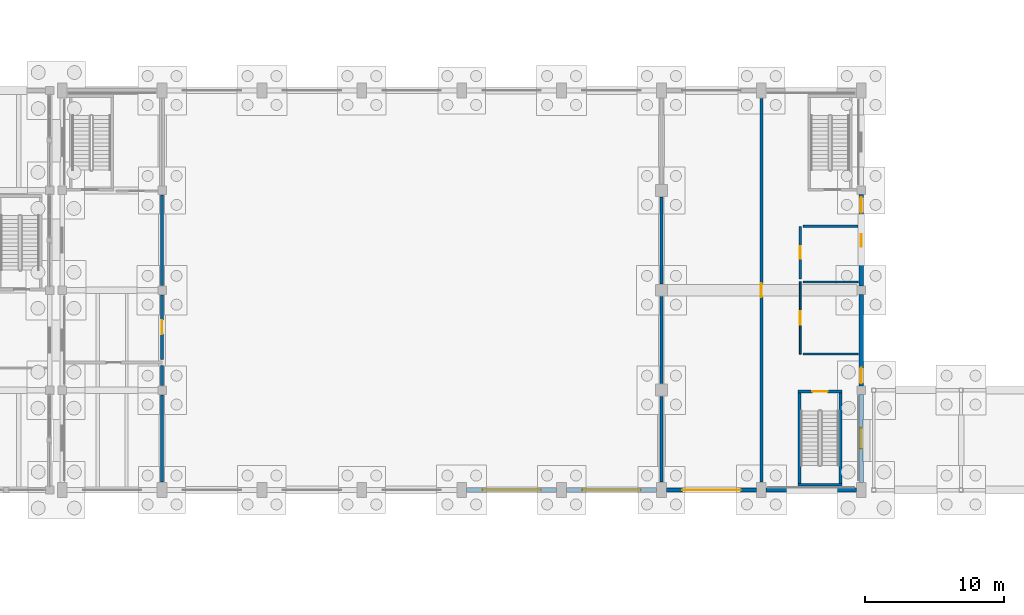
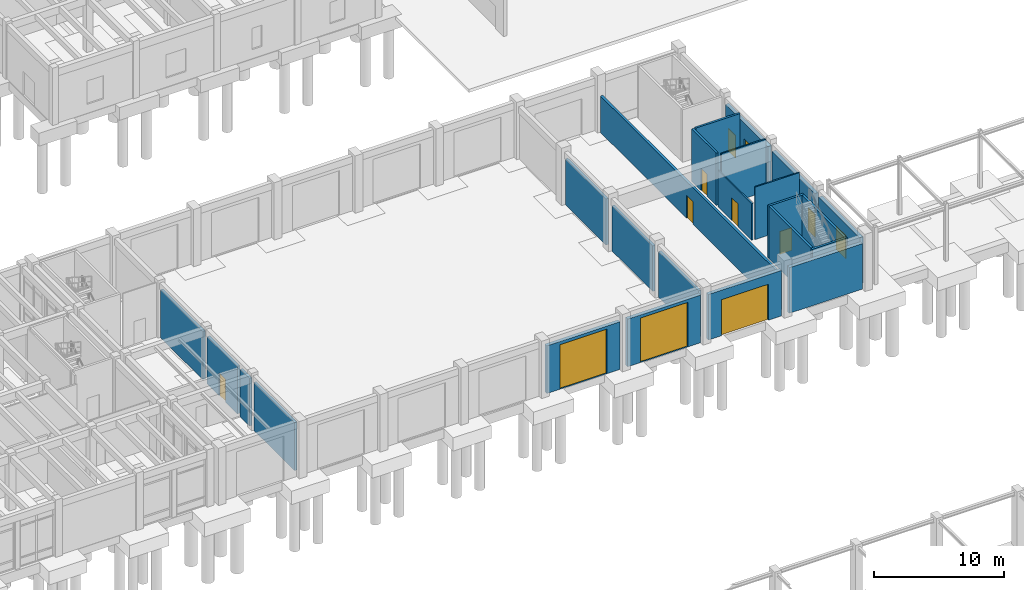
# One storey, part 65 of 93: 24 walls, 10 doors, 2 windows, 12 openings.
"""IFC4 building model written with IfcOpenShell, lengths in metres."""

from ifc_helpers import new_model, si_unit, direction, frame, frame_2d, origin, place, context, subcontext, project, spatial, rectangle, extrude, material, layer, layer_set, type_object, element, fill, save


model = new_model("IFC4")

# Units and contexts
model_context = context("Model", 3, precision=1e-05, world=origin(), true_north=direction((0.0, 1.0)))
body_context = subcontext(model_context, "Body", "Model", "MODEL_VIEW")
ifc_project = project(units=[si_unit("LENGTHUNIT", "METRE"), si_unit("AREAUNIT", "SQUARE_METRE"), si_unit("VOLUMEUNIT", "CUBIC_METRE"), si_unit("PLANEANGLEUNIT", "RADIAN"), si_unit("MASSUNIT", "GRAM", prefix="KILO")], contexts=[model_context])

# Site, building, storey
site_placement = place(None, origin())
site = spatial("IfcSite", under=ifc_project, at=site_placement, CompositionType="ELEMENT")
building_placement = place(site_placement, origin())
building = spatial("IfcBuilding", under=site, at=building_placement, Name="Koriwan Promenade Central Fire Station", CompositionType="ELEMENT")
storey_placement = place(building_placement, origin())
storey = spatial("IfcBuildingStorey", under=building, at=storey_placement, Name="L00", CompositionType="ELEMENT", Elevation=0.0)

# Wall, opening, window
ifc_material_1 = material(Name="Precast concrete C40/50", Category="concrete")
ifc_layer_1 = layer(ifc_material_1, 0.320068359375, Name="Precast concrete C40/50")
ifc_layer_set_1 = layer_set([ifc_layer_1], Name="Precast concrete C40/50")
wall_type_1 = type_object("IfcWallType", Name="ExtWall_Terracotta_320", PredefinedType="ELEMENTEDWALL", material=ifc_layer_set_1)
wall_1_placement = place(storey_placement, frame((115.199951171875, 43.75, 0.0), z_axis=(0.0, 0.0, 1.0), x_axis=(0.0, 1.0, 0.0)))
wall_1 = element("IfcWall", 1, at=wall_1_placement, inside=storey, type_object=wall_type_1, Name="V1 L00 exterior wall 1", PredefinedType="ELEMENTEDWALL", context=body_context, shape_type="SweptSolid", body=[
    extrude(rectangle(XDim=6.35009765625, YDim=0.320068359375, at=frame_2d((3.175048828125, 0.0))), origin(), (0.0, 0.0, 1.0), 4.340087890625),
])
opening_1_placement = place(wall_1_placement, frame((2.425048828125, 0.0, 0.85009765625)))
opening_1 = element("IfcOpeningElement", 2, at=opening_1_placement, cuts=wall_1, Name="Opening W-02", PredefinedType="OPENING", context=body_context, shape_type="SweptSolid", body=[
    extrude(rectangle(XDim=1.5, YDim=2.199951171875, at=frame_2d((0.75, 1.10009765625))), frame((0.0, 0.171875, 0.0), z_axis=(0.0, -1.0, 0.0), x_axis=(1.0, 0.0, 0.0)), (0.0, 0.0, 1.0), 0.343994140625),
])
ifc_material_2 = material(Name="Solar-control low-E laminated double glazing", Category="glass")
window_type_1 = type_object("IfcWindowType", Name="Win_Jharokha_1500x2200", PartitioningType="SINGLE_PANEL", PredefinedType="WINDOW", material=ifc_material_2)
window_1_placement = place(opening_1_placement, origin())
window_1 = element("IfcWindow", 3, at=window_1_placement, inside=storey, type_object=window_type_1, Name="V1 L00 window 0001", OverallHeight=2.199951171875, OverallWidth=1.5, PartitioningType="SINGLE_PANEL", PredefinedType="WINDOW", context=body_context, shape_type="SweptSolid", body=[
    extrude(rectangle(XDim=1.5, YDim=2.199951171875, at=frame_2d((0.75, 1.10009765625))), frame((0.0, 0.030029296875, 0.0), z_axis=(0.0, -1.0, 0.0), x_axis=(1.0, 0.0, 0.0)), (0.0, 0.0, 1.0), 0.06005859375),
])
fill(opening_1, window_1)

# Wall, opening, door
wall_2_placement = place(storey_placement, frame((115.199951171875, 50.699951171875, 0.0), z_axis=(0.0, 0.0, 1.0), x_axis=(0.0, 1.0, 0.0)))
wall_2 = element("IfcWall", 4, at=wall_2_placement, inside=storey, type_object=wall_type_1, Name="V1 L00 exterior wall 2", PredefinedType="ELEMENTEDWALL", context=body_context, shape_type="SweptSolid", body=[
    extrude(rectangle(XDim=6.60009765625, YDim=0.320068359375, at=frame_2d((3.300048828125, 0.0))), origin(), (0.0, 0.0, 1.0), 4.2900390625),
])
opening_2_placement = place(wall_2_placement, frame((0.199951171875, 0.0, 0.0)))
opening_2 = element("IfcOpeningElement", 5, at=opening_2_placement, cuts=wall_2, Name="Opening ED-036", PredefinedType="OPENING", context=body_context, shape_type="SweptSolid", body=[
    extrude(rectangle(XDim=1.10009765625, YDim=2.14990234375, at=frame_2d((0.550048828125, 1.074951171875))), frame((0.0, 0.171875, 0.0), z_axis=(0.0, -1.0, 0.0), x_axis=(1.0, 0.0, 0.0)), (0.0, 0.0, 1.0), 0.343994140625),
])
ifc_material_3 = material(Name="Aluminium EN AW-6063-T6 and laminated safety glass", Category="aluminium")
door_type_1 = type_object("IfcDoorType", Name="ExitDoorSingle_1100x2150", OperationType="NOTDEFINED", PredefinedType="DOOR", material=ifc_material_3)
door_1_placement = place(opening_2_placement, frame((1.10009765625, 0.0, 0.0), z_axis=(0.0, 0.0, 1.0), x_axis=(-1.0, 0.0, 0.0)))
door_1 = element("IfcDoor", 6, at=door_1_placement, inside=storey, type_object=door_type_1, Name="V1 Final Pedestrian Exit Door ED-036", OperationType="SINGLE_SWING_LEFT", OverallHeight=2.14990234375, OverallWidth=1.10009765625, PredefinedType="DOOR", context=body_context, shape_type="SweptSolid", body=[
    extrude(rectangle(XDim=1.10009765625, YDim=2.14990234375, at=frame_2d((0.550048828125, 1.074951171875))), frame((0.0, 0.02490234375, 0.0), z_axis=(0.0, -1.0, 0.0), x_axis=(1.0, 0.0, 0.0)), (0.0, 0.0, 1.0), 0.050048828125),
])
fill(opening_2, door_1)

# Wall, openings, door, window
wall_3_placement = place(storey_placement, frame((115.199951171875, 57.89990234375, 0.0), z_axis=(0.0, 0.0, 1.0), x_axis=(0.0, 1.0, 0.0)))
wall_3 = element("IfcWall", 7, at=wall_3_placement, inside=storey, type_object=wall_type_1, Name="V1 L00 exterior wall 3", PredefinedType="ELEMENTEDWALL", context=body_context, shape_type="SweptSolid", body=[
    extrude(rectangle(XDim=6.60009765625, YDim=0.320068359375, at=frame_2d((3.300048828125, 0.0))), origin(), (0.0, 0.0, 1.0), 4.340087890625),
])
opening_3_placement = place(wall_3_placement, frame((2.85009765625, 0.0, 0.85009765625)))
opening_3 = element("IfcOpeningElement", 8, at=opening_3_placement, cuts=wall_3, Name="Opening W-04", PredefinedType="OPENING", context=body_context, shape_type="SweptSolid", body=[
    extrude(rectangle(XDim=0.89990234375, YDim=2.0, at=frame_2d((0.449951171875, 1.0))), frame((0.0, 0.171875, 0.0), z_axis=(0.0, -1.0, 0.0), x_axis=(1.0, 0.0, 0.0)), (0.0, 0.0, 1.0), 0.343994140625),
])
opening_4_placement = place(wall_3_placement, frame((5.300048828125, 0.0, 0.0)))
opening_4 = element("IfcOpeningElement", 9, at=opening_4_placement, cuts=wall_3, Name="Opening ED-037", PredefinedType="OPENING", context=body_context, shape_type="SweptSolid", body=[
    extrude(rectangle(XDim=1.10009765625, YDim=2.14990234375, at=frame_2d((0.550048828125, 1.074951171875))), frame((0.0, 0.171875, 0.0), z_axis=(0.0, -1.0, 0.0), x_axis=(1.0, 0.0, 0.0)), (0.0, 0.0, 1.0), 0.343994140625),
])
door_2_placement = place(opening_4_placement, frame((1.10009765625, 0.0, 0.0), z_axis=(0.0, 0.0, 1.0), x_axis=(-1.0, 0.0, 0.0)))
door_2 = element("IfcDoor", 10, at=door_2_placement, inside=storey, type_object=door_type_1, Name="V1 Final Pedestrian Exit Door ED-037", OperationType="SINGLE_SWING_RIGHT", OverallHeight=2.14990234375, OverallWidth=1.10009765625, PredefinedType="DOOR", context=body_context, shape_type="SweptSolid", body=[
    extrude(rectangle(XDim=1.10009765625, YDim=2.14990234375, at=frame_2d((0.550048828125, 1.074951171875))), frame((0.0, 0.02490234375, 0.0), z_axis=(0.0, -1.0, 0.0), x_axis=(1.0, 0.0, 0.0)), (0.0, 0.0, 1.0), 0.050048828125),
])
fill(opening_4, door_2)
window_type_2 = type_object("IfcWindowType", Name="Win_HQ_900x2000", PartitioningType="SINGLE_PANEL", PredefinedType="WINDOW", material=ifc_material_2)
window_2_placement = place(opening_3_placement, origin())
window_2 = element("IfcWindow", 11, at=window_2_placement, inside=storey, type_object=window_type_2, Name="V1 L00 window 0002", OverallHeight=2.0, OverallWidth=0.89990234375, PartitioningType="SINGLE_PANEL", PredefinedType="WINDOW", context=body_context, shape_type="SweptSolid", body=[
    extrude(rectangle(XDim=0.89990234375, YDim=2.0, at=frame_2d((0.449951171875, 1.0))), frame((0.0, 0.030029296875, 0.0), z_axis=(0.0, -1.0, 0.0), x_axis=(1.0, 0.0, 0.0)), (0.0, 0.0, 1.0), 0.06005859375),
])
fill(opening_3, window_2)

# Wall, opening, door
wall_4_placement = place(storey_placement, frame((86.75, 43.199951171875, 0.0), z_axis=(0.0, 0.0, 1.0), x_axis=(1.0, 0.0, 0.0)))
wall_4 = element("IfcWall", 12, at=wall_4_placement, inside=storey, type_object=wall_type_1, Name="V1 apparatus bay wall 21", PredefinedType="ELEMENTEDWALL", context=body_context, shape_type="SweptSolid", body=[
    extrude(rectangle(XDim=6.5, YDim=0.320068359375, at=frame_2d((3.25, 0.0))), origin(), (0.0, 0.0, 1.0), 4.489990234375),
])
opening_5_placement = place(wall_4_placement, frame((1.14990234375, 0.0, 0.0)))
opening_5 = element("IfcOpeningElement", 13, at=opening_5_placement, cuts=wall_4, Name="Opening APD-012", PredefinedType="OPENING", context=body_context, shape_type="SweptSolid", body=[
    extrude(rectangle(XDim=4.199951171875, YDim=4.199951171875, at=frame_2d((2.10009765625, 2.10009765625))), frame((0.0, 0.171875, 0.0), z_axis=(0.0, -1.0, 0.0), x_axis=(1.0, 0.0, 0.0)), (0.0, 0.0, 1.0), 0.343994140625),
])
door_type_2 = type_object("IfcDoorType", Name="ApparatusDoor_4200x4200", OperationType="DOUBLE_SWING_LEFT", PredefinedType="DOOR", material=ifc_material_3)
door_3_placement = place(opening_5_placement, frame((4.199951171875, 0.0, 0.0), z_axis=(0.0, 0.0, 1.0), x_axis=(-1.0, 0.0, 0.0)))
door_3 = element("IfcDoor", 14, at=door_3_placement, inside=storey, type_object=door_type_2, Name="Appliance Bay Double-Swing Vehicle Door APD-012", OperationType="DOUBLE_SWING_LEFT", OverallHeight=4.199951171875, OverallWidth=4.199951171875, PredefinedType="DOOR", context=body_context, shape_type="SweptSolid", body=[
    extrude(rectangle(XDim=4.199951171875, YDim=4.199951171875, at=frame_2d((2.10009765625, 2.10009765625))), frame((0.0, 0.02490234375, 0.0), z_axis=(0.0, -1.0, 0.0), x_axis=(1.0, 0.0, 0.0)), (0.0, 0.0, 1.0), 0.050048828125),
])
fill(opening_5, door_3)

wall_5_placement = place(storey_placement, frame((93.949951171875, 43.199951171875, 0.0), z_axis=(0.0, 0.0, 1.0), x_axis=(1.0, 0.0, 0.0)))
wall_5 = element("IfcWall", 15, at=wall_5_placement, inside=storey, type_object=wall_type_1, Name="V1 apparatus bay wall 22", PredefinedType="ELEMENTEDWALL", context=body_context, shape_type="SweptSolid", body=[
    extrude(rectangle(XDim=6.5, YDim=0.320068359375, at=frame_2d((3.25, 0.0))), origin(), (0.0, 0.0, 1.0), 4.489990234375),
])
opening_6_placement = place(wall_5_placement, frame((1.14990234375, 0.0, 0.0)))
opening_6 = element("IfcOpeningElement", 16, at=opening_6_placement, cuts=wall_5, Name="Opening APD-013", PredefinedType="OPENING", context=body_context, shape_type="SweptSolid", body=[
    extrude(rectangle(XDim=4.199951171875, YDim=4.199951171875, at=frame_2d((2.10009765625, 2.10009765625))), frame((0.0, 0.171875, 0.0), z_axis=(0.0, -1.0, 0.0), x_axis=(1.0, 0.0, 0.0)), (0.0, 0.0, 1.0), 0.343994140625),
])
door_4_placement = place(opening_6_placement, frame((4.199951171875, 0.0, 0.0), z_axis=(0.0, 0.0, 1.0), x_axis=(-1.0, 0.0, 0.0)))
door_4 = element("IfcDoor", 17, at=door_4_placement, inside=storey, type_object=door_type_2, Name="Appliance Bay Double-Swing Vehicle Door APD-013", OperationType="DOUBLE_SWING_LEFT", OverallHeight=4.199951171875, OverallWidth=4.199951171875, PredefinedType="DOOR", context=body_context, shape_type="SweptSolid", body=[
    extrude(rectangle(XDim=4.199951171875, YDim=4.199951171875, at=frame_2d((2.10009765625, 2.10009765625))), frame((0.0, 0.02490234375, 0.0), z_axis=(0.0, -1.0, 0.0), x_axis=(1.0, 0.0, 0.0)), (0.0, 0.0, 1.0), 0.050048828125),
])
fill(opening_6, door_4)

wall_6_placement = place(storey_placement, frame((101.14990234375, 43.199951171875, 0.0), z_axis=(0.0, 0.0, 1.0), x_axis=(1.0, 0.0, 0.0)))
wall_6 = element("IfcWall", 18, at=wall_6_placement, inside=storey, type_object=wall_type_1, Name="V1 apparatus bay wall 23", PredefinedType="ELEMENTEDWALL", context=body_context, shape_type="SweptSolid", body=[
    extrude(rectangle(XDim=6.5, YDim=0.320068359375, at=frame_2d((3.25, 0.0))), origin(), (0.0, 0.0, 1.0), 4.2900390625),
])
opening_7_placement = place(wall_6_placement, frame((1.14990234375, 0.0, 0.0)))
opening_7 = element("IfcOpeningElement", 19, at=opening_7_placement, cuts=wall_6, Name="Opening APD-014", PredefinedType="OPENING", context=body_context, shape_type="SweptSolid", body=[
    extrude(rectangle(XDim=4.199951171875, YDim=3.39990234375, at=frame_2d((2.10009765625, 1.699951171875))), frame((0.0, 0.171875, 0.0), z_axis=(0.0, -1.0, 0.0), x_axis=(1.0, 0.0, 0.0)), (0.0, 0.0, 1.0), 0.343994140625),
])
door_type_3 = type_object("IfcDoorType", Name="ApparatusDoor_4200x3400", OperationType="DOUBLE_SWING_LEFT", PredefinedType="DOOR", material=ifc_material_3)
door_5_placement = place(opening_7_placement, frame((4.199951171875, 0.0, 0.0), z_axis=(0.0, 0.0, 1.0), x_axis=(-1.0, 0.0, 0.0)))
door_5 = element("IfcDoor", 20, at=door_5_placement, inside=storey, type_object=door_type_3, Name="Appliance Bay Double-Swing Vehicle Door APD-014", OperationType="DOUBLE_SWING_LEFT", OverallHeight=3.39990234375, OverallWidth=4.199951171875, PredefinedType="DOOR", context=body_context, shape_type="SweptSolid", body=[
    extrude(rectangle(XDim=4.199951171875, YDim=3.39990234375, at=frame_2d((2.10009765625, 1.699951171875))), frame((0.0, 0.02490234375, 0.0), z_axis=(0.0, -1.0, 0.0), x_axis=(1.0, 0.0, 0.0)), (0.0, 0.0, 1.0), 0.050048828125),
])
fill(opening_7, door_5)

# Wall
wall_7_placement = place(storey_placement, frame((108.35009765625, 43.199951171875, 0.0), z_axis=(0.0, 0.0, 1.0), x_axis=(1.0, 0.0, 0.0)))
element("IfcWall", 21, at=wall_7_placement, inside=storey, type_object=wall_type_1, Name="V1 apparatus bay wall 24", PredefinedType="ELEMENTEDWALL", context=body_context, shape_type="SweptSolid", body=[
    extrude(rectangle(XDim=6.5, YDim=0.320068359375, at=frame_2d((3.25, 0.0))), origin(), (0.0, 0.0, 1.0), 4.2900390625),
])

# Wall, opening, door
ifc_material_4 = material(Name="Gypsum board acoustic stud partition", Category="gypsum")
ifc_layer_2 = layer(ifc_material_4, 0.1201171875, Name="Gypsum board acoustic stud partition")
ifc_layer_set_2 = layer_set([ifc_layer_2], Name="Gypsum board acoustic stud partition")
wall_type_2 = type_object("IfcWallType", Name="IntWall_Drywall_120", PredefinedType="PARTITIONING", material=ifc_layer_set_2)
wall_8_placement = place(storey_placement, frame((110.800048828125, 53.0, 0.0), z_axis=(0.0, 0.0, 1.0), x_axis=(0.0, 1.0, 0.0)))
wall_8 = element("IfcWall", 22, at=wall_8_placement, inside=storey, type_object=wall_type_2, Name="Turnout Gear and PPE Room partition W", PredefinedType="PARTITIONING", context=body_context, shape_type="SweptSolid", body=[
    extrude(rectangle(XDim=5.199951171875, YDim=0.1201171875, at=frame_2d((2.60009765625, 0.0))), origin(), (0.0, 0.0, 1.0), 3.43798828125),
])
opening_8_placement = place(wall_8_placement, frame((2.10009765625, 0.0, 0.0)))
opening_8 = element("IfcOpeningElement", 23, at=opening_8_placement, cuts=wall_8, Name="Opening D-077", PredefinedType="OPENING", context=body_context, shape_type="SweptSolid", body=[
    extrude(rectangle(XDim=1.0, YDim=2.14990234375, at=frame_2d((0.5, 1.074951171875))), frame((0.0, 0.072021484375, 0.0), z_axis=(0.0, -1.0, 0.0), x_axis=(1.0, 0.0, 0.0)), (0.0, 0.0, 1.0), 0.14404296875),
])
ifc_material_5 = material(Name="Hardwood veneer solid-core timber", Category="wood")
door_type_4 = type_object("IfcDoorType", Name="RoomDoor_Office_1000x2150", OperationType="NOTDEFINED", PredefinedType="DOOR", material=ifc_material_5)
door_6_placement = place(opening_8_placement, origin())
door_6 = element("IfcDoor", 24, at=door_6_placement, inside=storey, type_object=door_type_4, Name="Turnout Gear and PPE Room Door D-077", OperationType="SINGLE_SWING_LEFT", OverallHeight=2.14990234375, OverallWidth=1.0, PredefinedType="DOOR", context=body_context, shape_type="SweptSolid", body=[
    extrude(rectangle(XDim=1.0, YDim=2.14990234375, at=frame_2d((0.5, 1.074951171875))), frame((0.0, 0.02490234375, 0.0), z_axis=(0.0, -1.0, 0.0), x_axis=(1.0, 0.0, 0.0)), (0.0, 0.0, 1.0), 0.050048828125),
])
fill(opening_8, door_6)

# Walls
for number, where, z_axis, x_axis, name in (
    (25, (111.02001953125, 53.0, 0.0), (0.0, 0.0, 1.0), (1.0, 0.0, 0.0), "Turnout Gear and PPE Room partition S"),
    (26, (111.02001953125, 58.199951171875, 0.0), (0.0, 0.0, 1.0), (1.0, 0.0, 0.0), "Turnout Gear and PPE Room partition N"),
):
    element("IfcWall", number, at=place(storey_placement, frame(where, z_axis=z_axis, x_axis=x_axis)), inside=storey, type_object=wall_type_2, Name=name, PredefinedType="PARTITIONING", context=body_context, shape_type="SweptSolid", body=[
        extrude(rectangle(XDim=3.9599609375, YDim=0.1201171875, at=frame_2d((1.97998046875, 0.0))), origin(), (0.0, 0.0, 1.0), 4.94189453125),
    ])
ifc_material_6 = material(Name="Concrete C35/45 compartment wall", Category="concrete")
ifc_layer_3 = layer(ifc_material_6, 0.219970703125, Name="Concrete C35/45 compartment wall")
ifc_layer_set_3 = layer_set([ifc_layer_3], Name="Concrete C35/45 compartment wall")
wall_type_3 = type_object("IfcWallType", Name="IntWall_Plant_220", PredefinedType="STANDARD", material=ifc_layer_set_3)
wall_9_placement = place(storey_placement, frame((64.800048828125, 43.7900390625, 0.0), z_axis=(0.0, 0.0, 1.0), x_axis=(0.0, 1.0, 0.0)))
element("IfcWall", 27, at=wall_9_placement, inside=storey, type_object=wall_type_3, Name="First-Response Pump Appliance Bay partition E", PredefinedType="STANDARD", context=body_context, shape_type="SweptSolid", body=[
    extrude(rectangle(XDim=6.27001953125, YDim=0.219970703125, at=frame_2d((3.135009765625, 0.0))), origin(), (0.0, 0.0, 1.0), 4.5380859375),
])
wall_10_placement = place(storey_placement, frame((64.800048828125, 50.739990234375, 0.0), z_axis=(0.0, 0.0, 1.0), x_axis=(0.0, 1.0, 0.0)))
element("IfcWall", 28, at=wall_10_placement, inside=storey, type_object=wall_type_3, Name="First-Response Pump Appliance Bay partition E", PredefinedType="STANDARD", context=body_context, shape_type="SweptSolid", body=[
    extrude(rectangle(XDim=1.43994140625, YDim=0.219970703125, at=frame_2d((0.719970703125, 0.0))), origin(), (0.0, 0.0, 1.0), 4.488037109375),
])
wall_11_placement = place(storey_placement, frame((100.800048828125, 43.7900390625, 0.0), z_axis=(0.0, 0.0, 1.0), x_axis=(0.0, 1.0, 0.0)))
element("IfcWall", 29, at=wall_11_placement, inside=storey, type_object=wall_type_3, Name="Main Six-Engine Appliance Bay partition E", PredefinedType="STANDARD", context=body_context, shape_type="SweptSolid", body=[
    extrude(rectangle(XDim=6.14501953125, YDim=0.219970703125, at=frame_2d((3.072509765625, 0.0))), origin(), (0.0, 0.0, 1.0), 4.337890625),
])
wall_12_placement = place(storey_placement, frame((100.800048828125, 50.864990234375, 0.0), z_axis=(0.0, 0.0, 1.0), x_axis=(0.0, 1.0, 0.0)))
element("IfcWall", 30, at=wall_12_placement, inside=storey, type_object=wall_type_3, Name="Main Six-Engine Appliance Bay partition E", PredefinedType="STANDARD", context=body_context, shape_type="SweptSolid", body=[
    extrude(rectangle(XDim=6.27001953125, YDim=0.219970703125, at=frame_2d((3.135009765625, 0.0))), origin(), (0.0, 0.0, 1.0), 4.2880859375),
])
wall_13_placement = place(storey_placement, frame((100.800048828125, 58.06494140625, 0.0), z_axis=(0.0, 0.0, 1.0), x_axis=(0.0, 1.0, 0.0)))
element("IfcWall", 31, at=wall_13_placement, inside=storey, type_object=wall_type_3, Name="Main Six-Engine Appliance Bay partition E", PredefinedType="STANDARD", context=body_context, shape_type="SweptSolid", body=[
    extrude(rectangle(XDim=6.27001953125, YDim=0.219970703125, at=frame_2d((3.135009765625, 0.0))), origin(), (0.0, 0.0, 1.0), 4.337890625),
])

# Wall, opening, door
wall_14_placement = place(storey_placement, frame((64.800048828125, 52.6201171875, 0.0), z_axis=(0.0, 0.0, 1.0), x_axis=(0.0, 1.0, 0.0)))
wall_14 = element("IfcWall", 32, at=wall_14_placement, inside=storey, type_object=wall_type_3, Name="Main Six-Engine Appliance Bay partition W", PredefinedType="STANDARD", context=body_context, shape_type="SweptSolid", body=[
    extrude(rectangle(XDim=4.639892578125, YDim=0.219970703125, at=frame_2d((2.31982421875, 0.0))), origin(), (0.0, 0.0, 1.0), 4.488037109375),
])
opening_9_placement = place(wall_14_placement, frame((1.820068359375, 0.0, 0.0)))
opening_9 = element("IfcOpeningElement", 33, at=opening_9_placement, cuts=wall_14, Name="Opening D-075", PredefinedType="OPENING", context=body_context, shape_type="SweptSolid", body=[
    extrude(rectangle(XDim=1.0, YDim=2.14990234375, at=frame_2d((0.5, 1.074951171875))), frame((0.0, 0.1220703125, 0.0), z_axis=(0.0, -1.0, 0.0), x_axis=(1.0, 0.0, 0.0)), (0.0, 0.0, 1.0), 0.243896484375),
])
door_7_placement = place(opening_9_placement, origin())
door_7 = element("IfcDoor", 34, at=door_7_placement, inside=storey, type_object=door_type_4, Name="Main Six-Engine Appliance Bay Door D-075", OperationType="SINGLE_SWING_LEFT", OverallHeight=2.14990234375, OverallWidth=1.0, PredefinedType="DOOR", context=body_context, shape_type="SweptSolid", body=[
    extrude(rectangle(XDim=1.0, YDim=2.14990234375, at=frame_2d((0.5, 1.074951171875))), frame((0.0, 0.02490234375, 0.0), z_axis=(0.0, -1.0, 0.0), x_axis=(1.0, 0.0, 0.0)), (0.0, 0.0, 1.0), 0.050048828125),
])
fill(opening_9, door_7)

# Wall
wall_15_placement = place(storey_placement, frame((64.800048828125, 57.93994140625, 0.0), z_axis=(0.0, 0.0, 1.0), x_axis=(0.0, 1.0, 0.0)))
element("IfcWall", 35, at=wall_15_placement, inside=storey, type_object=wall_type_3, Name="Main Six-Engine Appliance Bay partition W", PredefinedType="STANDARD", context=body_context, shape_type="SweptSolid", body=[
    extrude(rectangle(XDim=6.52001953125, YDim=0.219970703125, at=frame_2d((3.260009765625, 0.0))), origin(), (0.0, 0.0, 1.0), 4.5380859375),
])

# Wall, opening, door
wall_16_placement = place(storey_placement, frame((108.0, 43.7900390625, 0.0), z_axis=(0.0, 0.0, 1.0), x_axis=(0.0, 1.0, 0.0)))
wall_16 = element("IfcWall", 36, at=wall_16_placement, inside=storey, type_object=wall_type_3, Name="Heavy Rescue and Hazmat Appliance Bay partition E", PredefinedType="STANDARD", context=body_context, shape_type="SweptSolid", body=[
    extrude(rectangle(XDim=27.619873046875, YDim=0.219970703125, at=frame_2d((13.81005859375, 0.0))), origin(), (0.0, 0.0, 1.0), 3.43798828125),
])
opening_10_placement = place(wall_16_placement, frame((13.31005859375, 0.0, 0.0)))
opening_10 = element("IfcOpeningElement", 37, at=opening_10_placement, cuts=wall_16, Name="Opening D-076", PredefinedType="OPENING", context=body_context, shape_type="SweptSolid", body=[
    extrude(rectangle(XDim=1.0, YDim=2.14990234375, at=frame_2d((0.5, 1.074951171875))), frame((0.0, 0.1220703125, 0.0), z_axis=(0.0, -1.0, 0.0), x_axis=(1.0, 0.0, 0.0)), (0.0, 0.0, 1.0), 0.243896484375),
])
door_8_placement = place(opening_10_placement, origin())
door_8 = element("IfcDoor", 38, at=door_8_placement, inside=storey, type_object=door_type_4, Name="Heavy Rescue and Hazmat Appliance Bay Door D-076", OperationType="SINGLE_SWING_RIGHT", OverallHeight=2.14990234375, OverallWidth=1.0, PredefinedType="DOOR", context=body_context, shape_type="SweptSolid", body=[
    extrude(rectangle(XDim=1.0, YDim=2.14990234375, at=frame_2d((0.5, 1.074951171875))), frame((0.0, 0.02490234375, 0.0), z_axis=(0.0, -1.0, 0.0), x_axis=(1.0, 0.0, 0.0)), (0.0, 0.0, 1.0), 0.050048828125),
])
fill(opening_10, door_8)

ifc_material_7 = material(Name="Moisture-resistant sanitary chase wall", Category="gypsum")
ifc_layer_4 = layer(ifc_material_7, 0.179931640625, Name="Moisture-resistant sanitary chase wall")
ifc_layer_set_4 = layer_set([ifc_layer_4], Name="Moisture-resistant sanitary chase wall")
wall_type_4 = type_object("IfcWallType", Name="IntWall_Plumbing_180", PredefinedType="PLUMBINGWALL", material=ifc_layer_set_4)
wall_17_placement = place(storey_placement, frame((110.800048828125, 58.419921875, 0.0), z_axis=(0.0, 0.0, 1.0), x_axis=(0.0, 1.0, 0.0)))
wall_17 = element("IfcWall", 39, at=wall_17_placement, inside=storey, type_object=wall_type_4, Name="Appliance Bay Accessible WC partition W", PredefinedType="PLUMBINGWALL", context=body_context, shape_type="SweptSolid", body=[
    extrude(rectangle(XDim=3.780029296875, YDim=0.179931640625, at=frame_2d((1.89013671875, 0.0))), origin(), (0.0, 0.0, 1.0), 4.94189453125),
])
opening_11_placement = place(wall_17_placement, frame((1.43994140625, 0.0, 0.0)))
opening_11 = element("IfcOpeningElement", 40, at=opening_11_placement, cuts=wall_17, Name="Opening D-078", PredefinedType="OPENING", context=body_context, shape_type="SweptSolid", body=[
    extrude(rectangle(XDim=0.89990234375, YDim=2.10009765625, at=frame_2d((0.449951171875, 1.050048828125))), frame((0.0, 0.10205078125, 0.0), z_axis=(0.0, -1.0, 0.0), x_axis=(1.0, 0.0, 0.0)), (0.0, 0.0, 1.0), 0.203857421875),
])
ifc_material_8 = material(Name="High-pressure laminate moisture-resistant core", Category="wood")
door_type_5 = type_object("IfcDoorType", Name="RoomDoor_WC_900x2100", OperationType="NOTDEFINED", PredefinedType="DOOR", material=ifc_material_8)
door_9_placement = place(opening_11_placement, origin())
door_9 = element("IfcDoor", 41, at=door_9_placement, inside=storey, type_object=door_type_5, Name="Appliance Bay Accessible WC Door D-078", OperationType="SINGLE_SWING_RIGHT", OverallHeight=2.10009765625, OverallWidth=0.89990234375, PredefinedType="DOOR", context=body_context, shape_type="SweptSolid", body=[
    extrude(rectangle(XDim=0.89990234375, YDim=2.10009765625, at=frame_2d((0.449951171875, 1.050048828125))), frame((0.0, 0.02490234375, 0.0), z_axis=(0.0, -1.0, 0.0), x_axis=(1.0, 0.0, 0.0)), (0.0, 0.0, 1.0), 0.050048828125),
])
fill(opening_11, door_9)

# Walls
wall_18_placement = place(storey_placement, frame((111.02001953125, 62.199951171875, 0.0), z_axis=(0.0, 0.0, 1.0), x_axis=(1.0, 0.0, 0.0)))
element("IfcWall", 42, at=wall_18_placement, inside=storey, type_object=wall_type_4, Name="Appliance Bay Accessible WC partition N", PredefinedType="PLUMBINGWALL", context=body_context, shape_type="SweptSolid", body=[
    extrude(rectangle(XDim=3.9599609375, YDim=0.179931640625, at=frame_2d((1.97998046875, 0.0))), origin(), (0.0, 0.0, 1.0), 4.94189453125),
])
ifc_material_9 = material(Name="Concrete C40/50", Category="concrete")
ifc_layer_5 = layer(ifc_material_9, 0.199951171875, Name="Concrete C40/50")
ifc_layer_set_5 = layer_set([ifc_layer_5], Name="Concrete C40/50")
wall_type_5 = type_object("IfcWallType", Name="ShearWall_200", PredefinedType="SHEAR", material=ifc_layer_set_5)
wall_19_placement = place(storey_placement, frame((110.64990234375, 43.580078125, 0.0), z_axis=(0.0, 0.0, 1.0), x_axis=(1.0, 0.0, 0.0)))
element("IfcWall", 43, at=wall_19_placement, inside=storey, type_object=wall_type_5, Name="ST03 L00 structural stair wall S", PredefinedType="SHEAR", context=body_context, shape_type="SweptSolid", body=[
    extrude(rectangle(XDim=3.150146484375, YDim=0.199951171875, at=frame_2d((1.5751953125, 0.0))), origin(), (0.0, 0.0, 1.0), 4.949951171875),
])

# Wall, opening, door
wall_20_placement = place(storey_placement, frame((110.64990234375, 50.300048828125, 0.0), z_axis=(0.0, 0.0, 1.0), x_axis=(1.0, 0.0, 0.0)))
wall_20 = element("IfcWall", 44, at=wall_20_placement, inside=storey, type_object=wall_type_5, Name="ST03 L00 structural stair wall N", PredefinedType="SHEAR", context=body_context, shape_type="SweptSolid", body=[
    extrude(rectangle(XDim=3.150146484375, YDim=0.199951171875, at=frame_2d((1.5751953125, 0.0))), origin(), (0.0, 0.0, 1.0), 4.949951171875),
])
opening_12_placement = place(wall_20_placement, frame((1.02490234375, 0.0, 0.0)))
opening_12 = element("IfcOpeningElement", 45, at=opening_12_placement, cuts=wall_20, Name="Opening SD-006", PredefinedType="OPENING", context=body_context, shape_type="SweptSolid", body=[
    extrude(rectangle(XDim=1.10009765625, YDim=2.14990234375, at=frame_2d((0.550048828125, 1.074951171875))), frame((0.0, 0.11181640625, 0.0), z_axis=(0.0, -1.0, 0.0), x_axis=(1.0, 0.0, 0.0)), (0.0, 0.0, 1.0), 0.223876953125),
])
ifc_material_10 = material(Name="Painted galvanized fire-door steel", Category="steel")
door_type_6 = type_object("IfcDoorType", Name="FireDoor_Stair_1100x2150", OperationType="NOTDEFINED", PredefinedType="DOOR", material=ifc_material_10)
door_10_placement = place(opening_12_placement, origin())
door_10 = element("IfcDoor", 46, at=door_10_placement, inside=storey, type_object=door_type_6, Name="Protected Stair ST03 Fire Door SD-006", OperationType="SINGLE_SWING_LEFT", OverallHeight=2.14990234375, OverallWidth=1.10009765625, PredefinedType="DOOR", context=body_context, shape_type="SweptSolid", body=[
    extrude(rectangle(XDim=1.10009765625, YDim=2.14990234375, at=frame_2d((0.550048828125, 1.074951171875))), frame((0.0, 0.02490234375, 0.0), z_axis=(0.0, -1.0, 0.0), x_axis=(1.0, 0.0, 0.0)), (0.0, 0.0, 1.0), 0.050048828125),
])
fill(opening_12, door_10)

# Walls
for number, where, z_axis, x_axis, name in (
    (47, (110.75, 43.679931640625, 0.0), (0.0, 0.0, 1.0), (0.0, 1.0, 0.0), "ST03 L00 structural stair wall W"),
    (48, (113.699951171875, 43.679931640625, 0.0), (0.0, 0.0, 1.0), (0.0, 1.0, 0.0), "ST03 L00 structural stair wall E"),
):
    element("IfcWall", number, at=place(storey_placement, frame(where, z_axis=z_axis, x_axis=x_axis)), inside=storey, type_object=wall_type_5, Name=name, PredefinedType="SHEAR", context=body_context, shape_type="SweptSolid", body=[
        extrude(rectangle(XDim=6.52001953125, YDim=0.199951171875, at=frame_2d((3.260009765625, 0.0))), origin(), (0.0, 0.0, 1.0), 4.949951171875),
    ])

save(model, "model.ifc")
